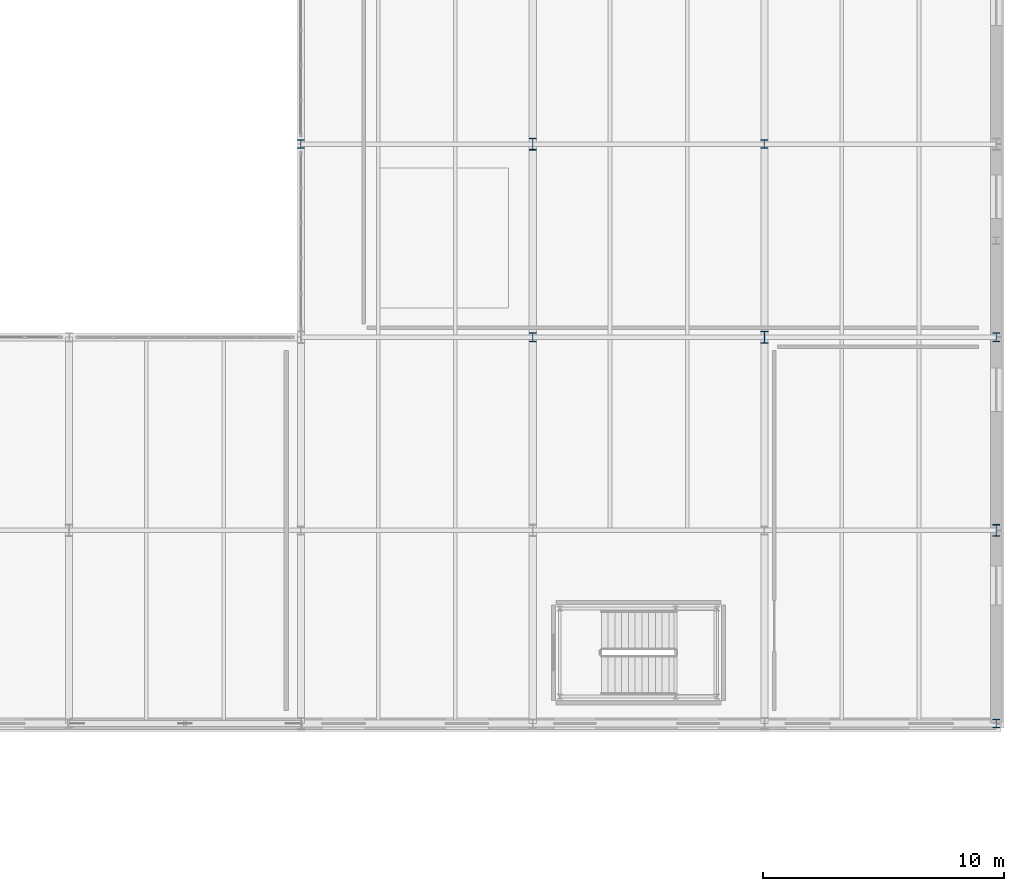
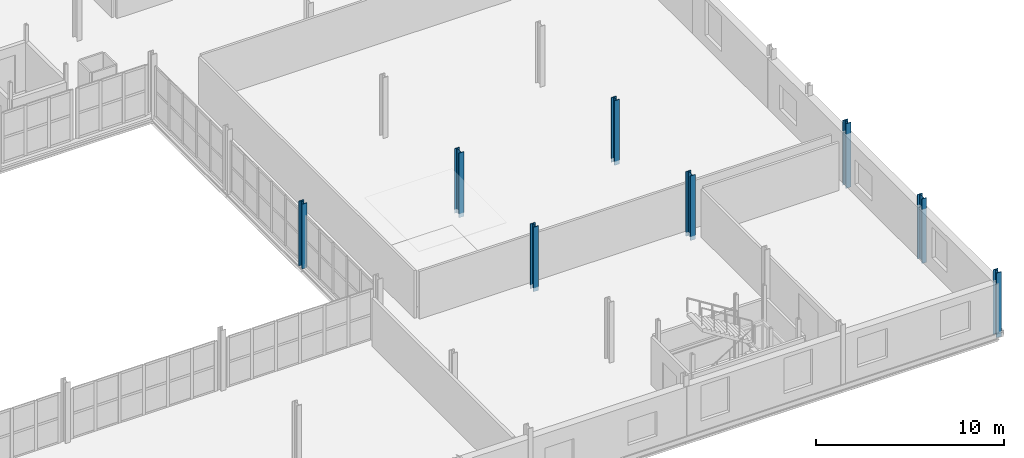
# One storey, part 24 of 78: 8 columns.
"""IFC4 building model written with IfcOpenShell, lengths in metres."""

from ifc_helpers import new_model, si_unit, direction, frame, origin, origin_2d, place, context, subcontext, project, spatial, i_section, extrude, material, material_profile, profile_set, type_object, element, save


model = new_model("IFC4")

# Units and contexts
model_context = context("Model", 3, precision=1e-05, world=origin(), true_north=direction((0.0, 1.0)))
body_context = subcontext(model_context, "Body", "Model", "MODEL_VIEW")
ifc_project = project(units=[si_unit("LENGTHUNIT", "METRE"), si_unit("AREAUNIT", "SQUARE_METRE"), si_unit("VOLUMEUNIT", "CUBIC_METRE"), si_unit("PLANEANGLEUNIT", "RADIAN"), si_unit("MASSUNIT", "GRAM", prefix="KILO")], contexts=[model_context])

# Site, building, storey
site_placement = place(None, origin())
site = spatial("IfcSite", under=ifc_project, at=site_placement, CompositionType="ELEMENT")
building_placement = place(site_placement, origin())
building = spatial("IfcBuilding", under=site, at=building_placement, Name="Alderhovde Museum", CompositionType="ELEMENT")
storey_placement = place(building_placement, frame((0.0, 0.0, 4.5)))
storey = spatial("IfcBuildingStorey", under=building, at=storey_placement, Name="L01", CompositionType="ELEMENT", Elevation=4.5)

# Columns
ifc_material_1 = material(Name="Steel S355J2", Category="steel")
ifc_material_profile_1 = material_profile(ifc_material_1, i_section(OverallWidth=0.300048828125, OverallDepth=0.5, WebThickness=0.014404296875, FlangeThickness=0.028076171875, FilletRadius=0.027099609375, at=origin_2d()), Name="HEB 500")
ifc_profile_set_1 = profile_set([ifc_material_profile_1], Name="Steel S355J2")
column_type_1 = type_object("IfcColumnType", Name="COL-HEB500", PredefinedType="COLUMN", material=ifc_profile_set_1)
for number, where, z_axis, x_axis, name in (
    (1, (153.60009765625, 56.0, -0.260009765625), (0.0, 0.0, 1.0), (1.0, 0.0, 0.0), "L01 Column (153.6, 56.0)"),
    (2, (163.199951171875, 48.0, -0.260009765625), (0.0, 0.0, 1.0), (1.0, 0.0, 0.0), "L01 Column (163.2, 48.0)"),
    (3, (172.800048828125, 40.0, -0.260009765625), (0.0, 0.0, 1.0), (1.0, 0.0, 0.0), "L01 Column (172.8, 40.0)"),
):
    element("IfcColumn", number, at=place(storey_placement, frame(where, z_axis=z_axis, x_axis=x_axis)), inside=storey, type_object=column_type_1, Name=name, PredefinedType="COLUMN", context=body_context, shape_type="SweptSolid", body=[
        extrude(i_section(OverallWidth=0.300048828125, OverallDepth=0.5, WebThickness=0.014404296875, FlangeThickness=0.028076171875, FilletRadius=0.027099609375, at=origin_2d()), origin(), (0.0, 0.0, 1.0), 4.199951171875),
    ])
ifc_material_2 = material(Name="Steel S355J2", Category="steel")
ifc_material_profile_2 = material_profile(ifc_material_2, i_section(OverallWidth=0.30908203125, OverallDepth=0.376953125, WebThickness=0.02099609375, FlangeThickness=0.0400390625, FilletRadius=0.027099609375, at=origin_2d()), Name="HEM 340")
ifc_profile_set_2 = profile_set([ifc_material_profile_2], Name="Steel S355J2")
column_type_2 = type_object("IfcColumnType", Name="COL-HEM340", PredefinedType="COLUMN", material=ifc_profile_set_2)
for number, where, z_axis, x_axis, name in (
    (4, (144.0, 56.0, -0.260009765625), (0.0, 0.0, 1.0), (1.0, 0.0, 0.0), "L01 Column (144.0, 56.0)"),
    (5, (153.60009765625, 48.0, -0.260009765625), (0.0, 0.0, 1.0), (1.0, 0.0, 0.0), "L01 Column (153.6, 48.0)"),
    (6, (163.199951171875, 56.0, -0.260009765625), (0.0, 0.0, 1.0), (1.0, 0.0, 0.0), "L01 Column (163.2, 56.0)"),
    (7, (172.800048828125, 32.0, -0.260009765625), (0.0, 0.0, 1.0), (1.0, 0.0, 0.0), "L01 Column (172.8, 32.0)"),
    (8, (172.800048828125, 48.0, -0.260009765625), (0.0, 0.0, 1.0), (1.0, 0.0, 0.0), "L01 Column (172.8, 48.0)"),
):
    element("IfcColumn", number, at=place(storey_placement, frame(where, z_axis=z_axis, x_axis=x_axis)), inside=storey, type_object=column_type_2, Name=name, PredefinedType="COLUMN", context=body_context, shape_type="SweptSolid", body=[
        extrude(i_section(OverallWidth=0.30908203125, OverallDepth=0.376953125, WebThickness=0.02099609375, FlangeThickness=0.0400390625, FilletRadius=0.027099609375, at=origin_2d()), origin(), (0.0, 0.0, 1.0), 4.199951171875),
    ])

save(model, "model.ifc")
